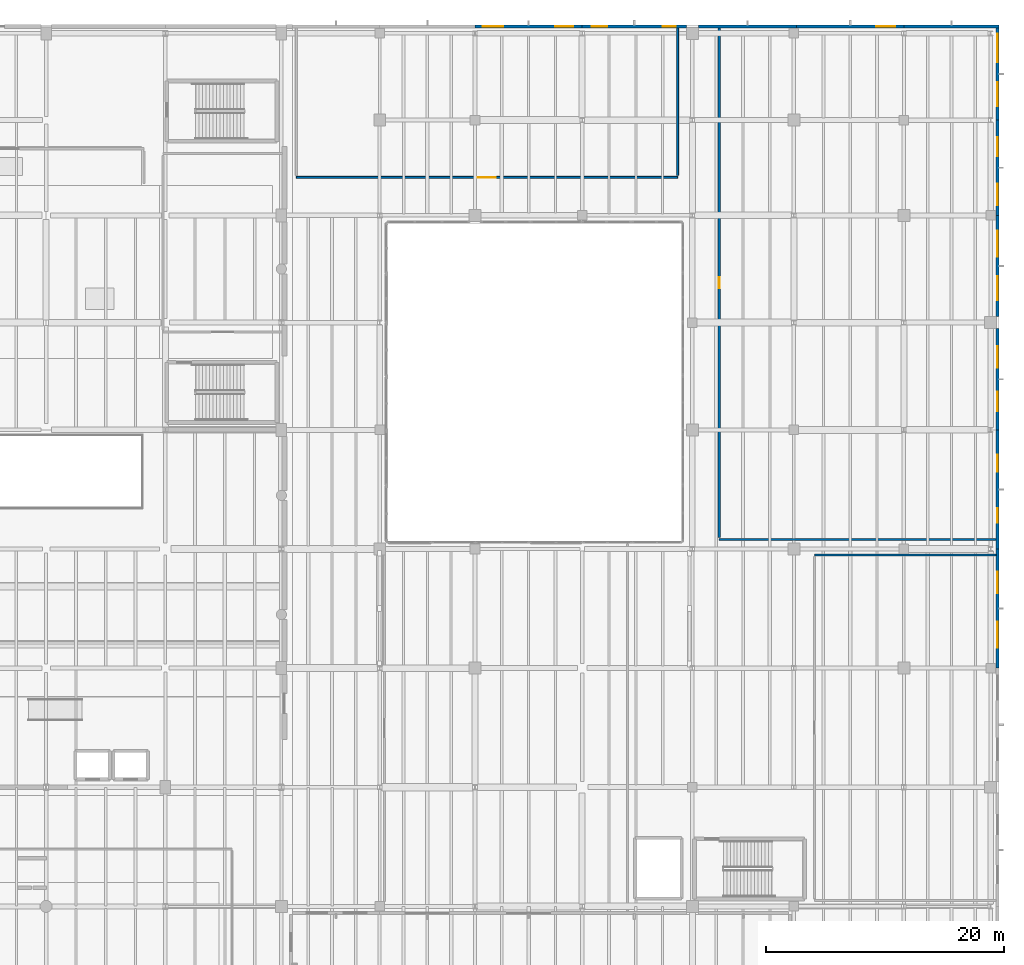
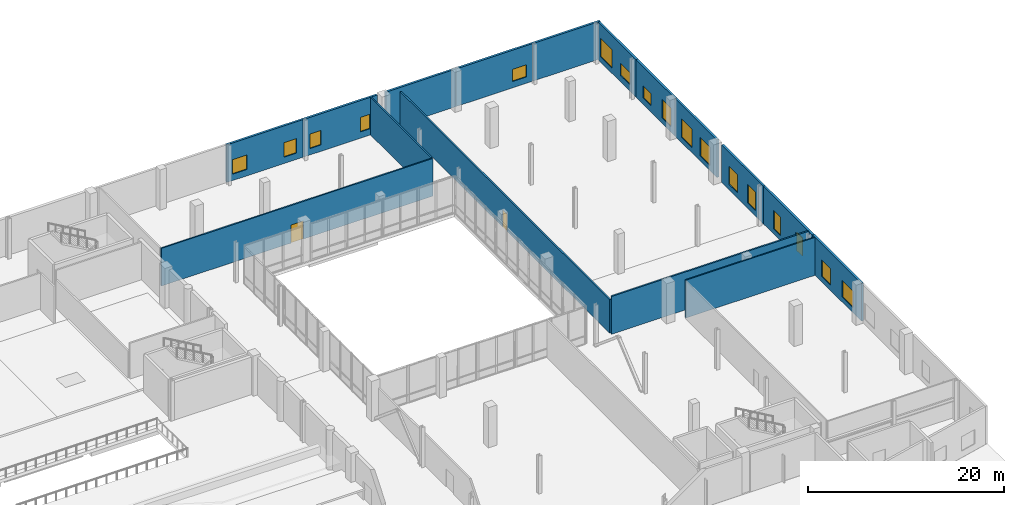
# One storey, part 75 of 88: 17 windows, 16 walls, 2 doors, 19 openings.
"""IFC4 building model written with IfcOpenShell, lengths in metres."""

from ifc_helpers import new_model, si_unit, direction, frame, frame_2d, origin, place, context, subcontext, project, spatial, rectangle, extrude, material, layer, layer_set, type_object, element, fill, save


model = new_model("IFC4")

# Units and contexts
model_context = context("Model", 3, precision=1e-05, world=origin(), true_north=direction((0.0, 1.0)))
body_context = subcontext(model_context, "Body", "Model", "MODEL_VIEW")
ifc_project = project(units=[si_unit("LENGTHUNIT", "METRE"), si_unit("AREAUNIT", "SQUARE_METRE"), si_unit("VOLUMEUNIT", "CUBIC_METRE"), si_unit("PLANEANGLEUNIT", "RADIAN"), si_unit("MASSUNIT", "GRAM", prefix="KILO")], contexts=[model_context])

# Site, building, storey
site_placement = place(None, origin())
site = spatial("IfcSite", under=ifc_project, at=site_placement, CompositionType="ELEMENT")
building_placement = place(site_placement, origin())
building = spatial("IfcBuilding", under=site, at=building_placement, Name="Trimount Lyric Opera House", CompositionType="ELEMENT")
storey_placement = place(building_placement, origin())
storey = spatial("IfcBuildingStorey", under=building, at=storey_placement, Name="L00", CompositionType="ELEMENT", Elevation=0.0)

# Wall
ifc_material_1 = material(Name="Fire-Rated Gypsum Board Partition")
ifc_layer_1 = layer(ifc_material_1, 0.14990234375)
ifc_layer_set_1 = layer_set([ifc_layer_1], Name="WL-PT150")
wall_type_1 = type_object("IfcWallType", Name="WL-PT150", PredefinedType="PARTITIONING", material=ifc_layer_set_1)
wall_1_placement = place(storey_placement, frame((173.75, 73.5, 0.0), z_axis=(0.0, 0.0, 1.0), x_axis=(-1.0, 0.0, 0.0)))
element("IfcWall", 1, at=wall_1_placement, inside=storey, type_object=wall_type_1, Name="L00 Stage Door Security & Wardrobe N partition", PredefinedType="PARTITIONING", context=body_context, shape_type="SweptSolid", body=[
    extrude(rectangle(XDim=15.25, YDim=0.14990234375, at=frame_2d((7.625, 0.0))), origin(), (0.0, 0.0, 1.0), 4.719970703125),
])

# Wall, opening, door
ifc_material_2 = material(Name="Acoustic Double-Stud Gypsum Board")
ifc_layer_2 = layer(ifc_material_2, 0.1650390625)
ifc_layer_set_2 = layer_set([ifc_layer_2], Name="WL-PT165")
wall_type_2 = type_object("IfcWallType", Name="WL-PT165", PredefinedType="PARTITIONING", material=ifc_layer_set_2)
wall_2_placement = place(storey_placement, frame((115.0, 105.199951171875, 0.0), z_axis=(0.0, 0.0, 1.0), x_axis=(1.0, 0.0, 0.0)))
wall_2 = element("IfcWall", 2, at=wall_2_placement, inside=storey, type_object=wall_type_2, Name="L00 Scenic Welding & Paint Frame Hall S partition", PredefinedType="PARTITIONING", context=body_context, shape_type="SweptSolid", body=[
    extrude(rectangle(XDim=32.0, YDim=0.1650390625, at=frame_2d((16.0, 0.0))), origin(), (0.0, 0.0, 1.0), 4.68994140625),
])
opening_1_placement = place(wall_2_placement, frame((15.25, 0.0, 0.0)))
opening_1 = element("IfcOpeningElement", 3, at=opening_1_placement, cuts=wall_2, Name="Opening DT-PL1", PredefinedType="OPENING", context=body_context, shape_type="SweptSolid", body=[
    extrude(rectangle(XDim=1.5, YDim=2.25, at=frame_2d((0.75, 1.125))), frame((0.0, 0.092529296875, 0.0), z_axis=(0.0, -1.0, 0.0), x_axis=(1.0, 0.0, 0.0)), (0.0, 0.0, 1.0), 0.18505859375),
])
ifc_material_3 = material(Name="Fire-Rated Painted Steel", Category="steel")
door_type_1 = type_object("IfcDoorType", Name="DT-PL1", OperationType="DOUBLE_DOOR_SINGLE_SWING", PredefinedType="DOOR", material=ifc_material_3)
door_1_placement = place(opening_1_placement, origin())
door_1 = element("IfcDoor", 4, at=door_1_placement, inside=storey, type_object=door_type_1, Name="D-187", OperationType="DOUBLE_DOOR_SINGLE_SWING", OverallHeight=2.25, OverallWidth=1.5, PredefinedType="DOOR", context=body_context, shape_type="SweptSolid", body=[
    extrude(rectangle(XDim=1.5, YDim=2.25, at=frame_2d((0.75, 1.125))), frame((0.0, 0.02490234375, 0.0), z_axis=(0.0, -1.0, 0.0), x_axis=(1.0, 0.0, 0.0)), (0.0, 0.0, 1.0), 0.050048828125),
])
fill(opening_1, door_1)

# Walls
wall_3_placement = place(storey_placement, frame((147.0, 105.364990234375, 0.0), z_axis=(0.0, 0.0, 1.0), x_axis=(0.0, 1.0, 0.0)))
element("IfcWall", 5, at=wall_3_placement, inside=storey, type_object=wall_type_2, Name="L00 Scenic Welding & Paint Frame Hall E partition", PredefinedType="PARTITIONING", context=body_context, shape_type="SweptSolid", body=[
    extrude(rectangle(XDim=12.35498046875, YDim=0.1650390625, at=frame_2d((6.177490234375, 0.0))), origin(), (0.0, 0.0, 1.0), 4.68994140625),
])
ifc_material_4 = material(Name="Acoustic Double-Stud Gypsum Board")
ifc_layer_3 = layer(ifc_material_4, 0.179931640625)
ifc_layer_set_3 = layer_set([ifc_layer_3], Name="WL-PT180")
wall_type_3 = type_object("IfcWallType", Name="WL-PT180", PredefinedType="PARTITIONING", material=ifc_layer_set_3)
wall_4_placement = place(storey_placement, frame((150.5, 74.800048828125, 0.0), z_axis=(0.0, 0.0, 1.0), x_axis=(1.0, 0.0, 0.0)))
element("IfcWall", 6, at=wall_4_placement, inside=storey, type_object=wall_type_3, Name="L00 Metalwork & Rigging Shop S partition", PredefinedType="PARTITIONING", context=body_context, shape_type="SweptSolid", body=[
    extrude(rectangle(XDim=23.25, YDim=0.179931640625, at=frame_2d((11.625, 0.0))), origin(), (0.0, 0.0, 1.0), 4.719970703125),
])

# Wall, opening, door
wall_5_placement = place(storey_placement, frame((150.5, 117.719970703125, 0.0), z_axis=(0.0, 0.0, 1.0), x_axis=(0.0, -1.0, 0.0)))
wall_5 = element("IfcWall", 7, at=wall_5_placement, inside=storey, type_object=wall_type_3, Name="L00 Metalwork & Rigging Shop W partition", PredefinedType="PARTITIONING", context=body_context, shape_type="SweptSolid", body=[
    extrude(rectangle(XDim=42.739990234375, YDim=0.179931640625, at=frame_2d((21.3701171875, 0.0))), origin(), (0.0, 0.0, 1.0), 4.177001953125),
])
opening_2_placement = place(wall_5_placement, frame((20.909912109375, 0.0, 0.0)))
opening_2 = element("IfcOpeningElement", 8, at=opening_2_placement, cuts=wall_5, Name="Opening DT-PL2", PredefinedType="OPENING", context=body_context, shape_type="SweptSolid", body=[
    extrude(rectangle(XDim=0.919921875, YDim=2.14990234375, at=frame_2d((0.4599609375, 1.074951171875))), frame((0.0, 0.10009765625, 0.0), z_axis=(0.0, -1.0, 0.0), x_axis=(1.0, 0.0, 0.0)), (0.0, 0.0, 1.0), 0.199951171875),
])
ifc_material_5 = material(Name="Fire-Rated Painted Steel", Category="steel")
door_type_2 = type_object("IfcDoorType", Name="DT-PL2", OperationType="NOTDEFINED", PredefinedType="DOOR", material=ifc_material_5)
door_2_placement = place(opening_2_placement, origin())
door_2 = element("IfcDoor", 9, at=door_2_placement, inside=storey, type_object=door_type_2, Name="D-189", OperationType="SINGLE_SWING_LEFT", OverallHeight=2.14990234375, OverallWidth=0.919921875, PredefinedType="DOOR", context=body_context, shape_type="SweptSolid", body=[
    extrude(rectangle(XDim=0.919921875, YDim=2.14990234375, at=frame_2d((0.4599609375, 1.074951171875))), frame((0.0, 0.02490234375, 0.0), z_axis=(0.0, -1.0, 0.0), x_axis=(1.0, 0.0, 0.0)), (0.0, 0.0, 1.0), 0.050048828125),
])
fill(opening_2, door_2)

# Wall, openings, windows
ifc_material_6 = material(Name="Concrete C35/45", Category="concrete")
ifc_layer_4 = layer(ifc_material_6, 0.25)
ifc_layer_set_4 = layer_set([ifc_layer_4], Name="WL-SW250")
wall_type_4 = type_object("IfcWallType", Name="WL-SW250", PredefinedType="SOLIDWALL", material=ifc_layer_set_4)
wall_6_placement = place(storey_placement, frame((130.0, 117.860107421875, 0.0), z_axis=(0.0, 0.0, 1.0), x_axis=(1.0, 0.0, 0.0)))
wall_6 = element("IfcWall", 10, at=wall_6_placement, inside=storey, type_object=wall_type_4, Name="L00 exterior facade wall 120", PredefinedType="SOLIDWALL", context=body_context, shape_type="SweptSolid", body=[
    extrude(rectangle(XDim=9.0, YDim=0.25, at=frame_2d((4.5, 0.0))), origin(), (0.0, 0.0, 1.0), 4.68994140625),
])
opening_3_placement = place(wall_6_placement, frame((0.669921875, 0.0, 0.800048828125)))
opening_3 = element("IfcOpeningElement", 11, at=opening_3_placement, cuts=wall_6, Name="Opening WT-19", PredefinedType="OPENING", context=body_context, shape_type="SweptSolid", body=[
    extrude(rectangle(XDim=1.699951171875, YDim=1.800048828125, at=frame_2d((0.85009765625, 0.89990234375))), frame((0.0, 0.135009765625, 0.0), z_axis=(0.0, -1.0, 0.0), x_axis=(1.0, 0.0, 0.0)), (0.0, 0.0, 1.0), 0.27001953125),
])
opening_4_placement = place(wall_6_placement, frame((6.72998046875, 0.0, 0.800048828125)))
opening_4 = element("IfcOpeningElement", 12, at=opening_4_placement, cuts=wall_6, Name="Opening WT-20", PredefinedType="OPENING", context=body_context, shape_type="SweptSolid", body=[
    extrude(rectangle(XDim=1.5, YDim=1.800048828125, at=frame_2d((0.75, 0.89990234375))), frame((0.0, 0.135009765625, 0.0), z_axis=(0.0, -1.0, 0.0), x_axis=(1.0, 0.0, 0.0)), (0.0, 0.0, 1.0), 0.27001953125),
])
ifc_material_7 = material(Name="Dressing Suite Acoustic Window")
window_type_1 = type_object("IfcWindowType", Name="WT-19", PartitioningType="SINGLE_PANEL", PredefinedType="WINDOW", material=ifc_material_7)
window_1_placement = place(opening_3_placement, origin())
window_1 = element("IfcWindow", 13, at=window_1_placement, inside=storey, type_object=window_type_1, Name="Window WT-19-0019", OverallHeight=1.800048828125, OverallWidth=1.699951171875, PartitioningType="SINGLE_PANEL", PredefinedType="WINDOW", context=body_context, shape_type="SweptSolid", body=[
    extrude(rectangle(XDim=1.699951171875, YDim=1.800048828125, at=frame_2d((0.85009765625, 0.89990234375))), frame((0.0, 0.030029296875, 0.0), z_axis=(0.0, -1.0, 0.0), x_axis=(1.0, 0.0, 0.0)), (0.0, 0.0, 1.0), 0.06005859375),
])
fill(opening_3, window_1)
ifc_material_8 = material(Name="Dressing Suite Acoustic Window")
window_type_2 = type_object("IfcWindowType", Name="WT-20", PartitioningType="SINGLE_PANEL", PredefinedType="WINDOW", material=ifc_material_8)
window_2_placement = place(opening_4_placement, origin())
window_2 = element("IfcWindow", 14, at=window_2_placement, inside=storey, type_object=window_type_2, Name="Window WT-20-0020", OverallHeight=1.800048828125, OverallWidth=1.5, PartitioningType="SINGLE_PANEL", PredefinedType="WINDOW", context=body_context, shape_type="SweptSolid", body=[
    extrude(rectangle(XDim=1.5, YDim=1.800048828125, at=frame_2d((0.75, 0.89990234375))), frame((0.0, 0.030029296875, 0.0), z_axis=(0.0, -1.0, 0.0), x_axis=(1.0, 0.0, 0.0)), (0.0, 0.0, 1.0), 0.06005859375),
])
fill(opening_4, window_2)

wall_7_placement = place(storey_placement, frame((139.0, 117.860107421875, 0.0), z_axis=(0.0, 0.0, 1.0), x_axis=(1.0, 0.0, 0.0)))
wall_7 = element("IfcWall", 15, at=wall_7_placement, inside=storey, type_object=wall_type_4, Name="L00 exterior facade wall 121", PredefinedType="SOLIDWALL", context=body_context, shape_type="SweptSolid", body=[
    extrude(rectangle(XDim=8.739990234375, YDim=0.25, at=frame_2d((4.3701171875, 0.0))), origin(), (0.0, 0.0, 1.0), 4.68994140625),
])
opening_5_placement = place(wall_7_placement, frame((0.797119140625, 0.0, 0.800048828125)))
opening_5 = element("IfcOpeningElement", 16, at=opening_5_placement, cuts=wall_7, Name="Opening WT-21", PredefinedType="OPENING", context=body_context, shape_type="SweptSolid", body=[
    extrude(rectangle(XDim=1.300048828125, YDim=1.800048828125, at=frame_2d((0.64990234375, 0.89990234375))), frame((0.0, 0.135009765625, 0.0), z_axis=(0.0, -1.0, 0.0), x_axis=(1.0, 0.0, 0.0)), (0.0, 0.0, 1.0), 0.27001953125),
])
opening_6_placement = place(wall_7_placement, frame((6.742919921875, 0.0, 0.800048828125)))
opening_6 = element("IfcOpeningElement", 17, at=opening_6_placement, cuts=wall_7, Name="Opening WT-22", PredefinedType="OPENING", context=body_context, shape_type="SweptSolid", body=[
    extrude(rectangle(XDim=1.10009765625, YDim=1.800048828125, at=frame_2d((0.550048828125, 0.89990234375))), frame((0.0, 0.135009765625, 0.0), z_axis=(0.0, -1.0, 0.0), x_axis=(1.0, 0.0, 0.0)), (0.0, 0.0, 1.0), 0.27001953125),
])
ifc_material_9 = material(Name="Dressing Suite Acoustic Window")
window_type_3 = type_object("IfcWindowType", Name="WT-21", PartitioningType="SINGLE_PANEL", PredefinedType="WINDOW", material=ifc_material_9)
window_3_placement = place(opening_5_placement, origin())
window_3 = element("IfcWindow", 18, at=window_3_placement, inside=storey, type_object=window_type_3, Name="Window WT-21-0021", OverallHeight=1.800048828125, OverallWidth=1.300048828125, PartitioningType="SINGLE_PANEL", PredefinedType="WINDOW", context=body_context, shape_type="SweptSolid", body=[
    extrude(rectangle(XDim=1.300048828125, YDim=1.800048828125, at=frame_2d((0.64990234375, 0.89990234375))), frame((0.0, 0.030029296875, 0.0), z_axis=(0.0, -1.0, 0.0), x_axis=(1.0, 0.0, 0.0)), (0.0, 0.0, 1.0), 0.06005859375),
])
fill(opening_5, window_3)
ifc_material_10 = material(Name="Practice Room Acoustic Window")
window_type_4 = type_object("IfcWindowType", Name="WT-22", PartitioningType="SINGLE_PANEL", PredefinedType="WINDOW", material=ifc_material_10)
window_4_placement = place(opening_6_placement, origin())
window_4 = element("IfcWindow", 19, at=window_4_placement, inside=storey, type_object=window_type_4, Name="Window WT-22-0022", OverallHeight=1.800048828125, OverallWidth=1.10009765625, PartitioningType="SINGLE_PANEL", PredefinedType="WINDOW", context=body_context, shape_type="SweptSolid", body=[
    extrude(rectangle(XDim=1.10009765625, YDim=1.800048828125, at=frame_2d((0.550048828125, 0.89990234375))), frame((0.0, 0.030029296875, 0.0), z_axis=(0.0, -1.0, 0.0), x_axis=(1.0, 0.0, 0.0)), (0.0, 0.0, 1.0), 0.06005859375),
])
fill(opening_6, window_4)

# Wall
wall_8_placement = place(storey_placement, frame((148.739990234375, 117.860107421875, 0.0), z_axis=(0.0, 0.0, 1.0), x_axis=(1.0, 0.0, 0.0)))
element("IfcWall", 20, at=wall_8_placement, inside=storey, type_object=wall_type_4, Name="L00 exterior facade wall 122", PredefinedType="SOLIDWALL", context=body_context, shape_type="SweptSolid", body=[
    extrude(rectangle(XDim=8.260009765625, YDim=0.25, at=frame_2d((4.1298828125, 0.0))), origin(), (0.0, 0.0, 1.0), 4.68994140625),
])

# Wall, opening, window
wall_9_placement = place(storey_placement, frame((157.0, 117.860107421875, 0.0), z_axis=(0.0, 0.0, 1.0), x_axis=(1.0, 0.0, 0.0)))
wall_9 = element("IfcWall", 21, at=wall_9_placement, inside=storey, type_object=wall_type_4, Name="L00 exterior facade wall 123", PredefinedType="SOLIDWALL", context=body_context, shape_type="SweptSolid", body=[
    extrude(rectangle(XDim=9.0, YDim=0.25, at=frame_2d((4.5, 0.0))), origin(), (0.0, 0.0, 1.0), 4.68994140625),
])
opening_7_placement = place(wall_9_placement, frame((6.679931640625, 0.0, 0.800048828125)))
opening_7 = element("IfcOpeningElement", 22, at=opening_7_placement, cuts=wall_9, Name="Opening WT-26", PredefinedType="OPENING", context=body_context, shape_type="SweptSolid", body=[
    extrude(rectangle(XDim=1.60009765625, YDim=1.5, at=frame_2d((0.800048828125, 0.75))), frame((0.0, 0.135009765625, 0.0), z_axis=(0.0, -1.0, 0.0), x_axis=(1.0, 0.0, 0.0)), (0.0, 0.0, 1.0), 0.27001953125),
])
ifc_material_11 = material(Name="Clerestory Ribbon Glazing", Category="glass")
window_type_5 = type_object("IfcWindowType", Name="WT-26", PartitioningType="SINGLE_PANEL", PredefinedType="WINDOW", material=ifc_material_11)
window_5_placement = place(opening_7_placement, origin())
window_5 = element("IfcWindow", 23, at=window_5_placement, inside=storey, type_object=window_type_5, Name="Window WT-26-0023", OverallHeight=1.5, OverallWidth=1.60009765625, PartitioningType="SINGLE_PANEL", PredefinedType="WINDOW", context=body_context, shape_type="SweptSolid", body=[
    extrude(rectangle(XDim=1.60009765625, YDim=1.5, at=frame_2d((0.800048828125, 0.75))), frame((0.0, 0.030029296875, 0.0), z_axis=(0.0, -1.0, 0.0), x_axis=(1.0, 0.0, 0.0)), (0.0, 0.0, 1.0), 0.06005859375),
])
fill(opening_7, window_5)

# Wall
wall_10_placement = place(storey_placement, frame((166.0, 117.860107421875, 0.0), z_axis=(0.0, 0.0, 1.0), x_axis=(1.0, 0.0, 0.0)))
element("IfcWall", 24, at=wall_10_placement, inside=storey, type_object=wall_type_4, Name="L00 exterior facade wall 124", PredefinedType="SOLIDWALL", context=body_context, shape_type="SweptSolid", body=[
    extrude(rectangle(XDim=8.0, YDim=0.25, at=frame_2d((4.0, 0.0))), origin(), (0.0, 0.0, 1.0), 4.68994140625),
])

# Wall, openings, windows
wall_11_placement = place(storey_placement, frame((173.860107421875, 117.72998046875, 0.0), z_axis=(0.0, 0.0, 1.0), x_axis=(0.0, -1.0, 0.0)))
wall_11 = element("IfcWall", 25, at=wall_11_placement, inside=storey, type_object=wall_type_4, Name="L00 exterior facade wall 125", PredefinedType="SOLIDWALL", context=body_context, shape_type="SweptSolid", body=[
    extrude(rectangle(XDim=7.72998046875, YDim=0.25, at=frame_2d((3.864990234375, 0.0))), origin(), (0.0, 0.0, 1.0), 4.68994140625),
])
opening_8_placement = place(wall_11_placement, frame((0.46435546875, 0.0, 0.64990234375)))
opening_8 = element("IfcOpeningElement", 26, at=opening_8_placement, cuts=wall_11, Name="Opening WT-01", PredefinedType="OPENING", context=body_context, shape_type="SweptSolid", body=[
    extrude(rectangle(XDim=2.39990234375, YDim=2.300048828125, at=frame_2d((1.199951171875, 1.14990234375))), frame((0.0, 0.135009765625, 0.0), z_axis=(0.0, -1.0, 0.0), x_axis=(1.0, 0.0, 0.0)), (0.0, 0.0, 1.0), 0.27001953125),
])
opening_9_placement = place(wall_11_placement, frame((4.565673828125, 0.0, 0.800048828125)))
opening_9 = element("IfcOpeningElement", 27, at=opening_9_placement, cuts=wall_11, Name="Opening WT-25", PredefinedType="OPENING", context=body_context, shape_type="SweptSolid", body=[
    extrude(rectangle(XDim=2.0, YDim=1.5, at=frame_2d((1.0, 0.75))), frame((0.0, 0.135009765625, 0.0), z_axis=(0.0, -1.0, 0.0), x_axis=(1.0, 0.0, 0.0)), (0.0, 0.0, 1.0), 0.27001953125),
])
ifc_material_12 = material(Name="Triple Acoustic Glazing in Aluminium Frame", Category="aluminium")
window_type_6 = type_object("IfcWindowType", Name="WT-01", PartitioningType="DOUBLE_PANEL_VERTICAL", PredefinedType="WINDOW", material=ifc_material_12)
window_6_placement = place(opening_8_placement, origin())
window_6 = element("IfcWindow", 28, at=window_6_placement, inside=storey, type_object=window_type_6, Name="Window WT-01-0024", OverallHeight=2.300048828125, OverallWidth=2.39990234375, PartitioningType="SINGLE_PANEL", PredefinedType="WINDOW", context=body_context, shape_type="SweptSolid", body=[
    extrude(rectangle(XDim=2.39990234375, YDim=2.300048828125, at=frame_2d((1.199951171875, 1.14990234375))), frame((0.0, 0.030029296875, 0.0), z_axis=(0.0, -1.0, 0.0), x_axis=(1.0, 0.0, 0.0)), (0.0, 0.0, 1.0), 0.06005859375),
])
fill(opening_8, window_6)
ifc_material_13 = material(Name="Clerestory Ribbon Glazing", Category="glass")
window_type_7 = type_object("IfcWindowType", Name="WT-25", PartitioningType="DOUBLE_PANEL_HORIZONTAL", PredefinedType="WINDOW", material=ifc_material_13)
window_7_placement = place(opening_9_placement, origin())
window_7 = element("IfcWindow", 29, at=window_7_placement, inside=storey, type_object=window_type_7, Name="Window WT-25-0025", OverallHeight=1.5, OverallWidth=2.0, PartitioningType="SINGLE_PANEL", PredefinedType="WINDOW", context=body_context, shape_type="SweptSolid", body=[
    extrude(rectangle(XDim=2.0, YDim=1.5, at=frame_2d((1.0, 0.75))), frame((0.0, 0.030029296875, 0.0), z_axis=(0.0, -1.0, 0.0), x_axis=(1.0, 0.0, 0.0)), (0.0, 0.0, 1.0), 0.06005859375),
])
fill(opening_9, window_7)

wall_12_placement = place(storey_placement, frame((173.860107421875, 110.0, 0.0), z_axis=(0.0, 0.0, 1.0), x_axis=(0.0, -1.0, 0.0)))
wall_12 = element("IfcWall", 30, at=wall_12_placement, inside=storey, type_object=wall_type_4, Name="L00 exterior facade wall 126", PredefinedType="SOLIDWALL", context=body_context, shape_type="SweptSolid", body=[
    extrude(rectangle(XDim=8.0, YDim=0.25, at=frame_2d((4.0, 0.0))), origin(), (0.0, 0.0, 1.0), 4.68994140625),
])
opening_10_placement = place(wall_12_placement, frame((1.43994140625, 0.0, 0.800048828125)))
opening_10 = element("IfcOpeningElement", 31, at=opening_10_placement, cuts=wall_12, Name="Opening WT-26", PredefinedType="OPENING", context=body_context, shape_type="SweptSolid", body=[
    extrude(rectangle(XDim=1.60009765625, YDim=1.5, at=frame_2d((0.800048828125, 0.75))), frame((0.0, 0.135009765625, 0.0), z_axis=(0.0, -1.0, 0.0), x_axis=(1.0, 0.0, 0.0)), (0.0, 0.0, 1.0), 0.27001953125),
])
opening_11_placement = place(wall_12_placement, frame((5.360107421875, 0.0, 0.64990234375)))
opening_11 = element("IfcOpeningElement", 32, at=opening_11_placement, cuts=wall_12, Name="Opening WT-04", PredefinedType="OPENING", context=body_context, shape_type="SweptSolid", body=[
    extrude(rectangle(XDim=1.800048828125, YDim=2.300048828125, at=frame_2d((0.89990234375, 1.14990234375))), frame((0.0, 0.135009765625, 0.0), z_axis=(0.0, -1.0, 0.0), x_axis=(1.0, 0.0, 0.0)), (0.0, 0.0, 1.0), 0.27001953125),
])
ifc_material_14 = material(Name="Triple Acoustic Glazing in Aluminium Frame", Category="aluminium")
window_type_8 = type_object("IfcWindowType", Name="WT-04", PartitioningType="DOUBLE_PANEL_VERTICAL", PredefinedType="WINDOW", material=ifc_material_14)
window_8_placement = place(opening_11_placement, origin())
window_8 = element("IfcWindow", 33, at=window_8_placement, inside=storey, type_object=window_type_8, Name="Window WT-04-0027", OverallHeight=2.300048828125, OverallWidth=1.800048828125, PartitioningType="SINGLE_PANEL", PredefinedType="WINDOW", context=body_context, shape_type="SweptSolid", body=[
    extrude(rectangle(XDim=1.800048828125, YDim=2.300048828125, at=frame_2d((0.89990234375, 1.14990234375))), frame((0.0, 0.030029296875, 0.0), z_axis=(0.0, -1.0, 0.0), x_axis=(1.0, 0.0, 0.0)), (0.0, 0.0, 1.0), 0.06005859375),
])
fill(opening_11, window_8)
window_9_placement = place(opening_10_placement, origin())
window_9 = element("IfcWindow", 34, at=window_9_placement, inside=storey, type_object=window_type_5, Name="Window WT-26-0026", OverallHeight=1.5, OverallWidth=1.60009765625, PartitioningType="SINGLE_PANEL", PredefinedType="WINDOW", context=body_context, shape_type="SweptSolid", body=[
    extrude(rectangle(XDim=1.60009765625, YDim=1.5, at=frame_2d((0.800048828125, 0.75))), frame((0.0, 0.030029296875, 0.0), z_axis=(0.0, -1.0, 0.0), x_axis=(1.0, 0.0, 0.0)), (0.0, 0.0, 1.0), 0.06005859375),
])
fill(opening_10, window_9)

wall_13_placement = place(storey_placement, frame((173.860107421875, 102.0, 0.0), z_axis=(0.0, 0.0, 1.0), x_axis=(0.0, -1.0, 0.0)))
wall_13 = element("IfcWall", 35, at=wall_13_placement, inside=storey, type_object=wall_type_4, Name="L00 exterior facade wall 127", PredefinedType="SOLIDWALL", context=body_context, shape_type="SweptSolid", body=[
    extrude(rectangle(XDim=8.5, YDim=0.25, at=frame_2d((4.25, 0.0))), origin(), (0.0, 0.0, 1.0), 4.68994140625),
])
opening_12_placement = place(wall_13_placement, frame((1.280029296875, 0.0, 0.64990234375)))
opening_12 = element("IfcOpeningElement", 36, at=opening_12_placement, cuts=wall_13, Name="Opening WT-02", PredefinedType="OPENING", context=body_context, shape_type="SweptSolid", body=[
    extrude(rectangle(XDim=2.199951171875, YDim=2.300048828125, at=frame_2d((1.10009765625, 1.14990234375))), frame((0.0, 0.135009765625, 0.0), z_axis=(0.0, -1.0, 0.0), x_axis=(1.0, 0.0, 0.0)), (0.0, 0.0, 1.0), 0.27001953125),
])
opening_13_placement = place(wall_13_placement, frame((5.1201171875, 0.0, 0.64990234375)))
opening_13 = element("IfcOpeningElement", 37, at=opening_13_placement, cuts=wall_13, Name="Opening WT-03", PredefinedType="OPENING", context=body_context, shape_type="SweptSolid", body=[
    extrude(rectangle(XDim=2.0, YDim=2.300048828125, at=frame_2d((1.0, 1.14990234375))), frame((0.0, 0.135009765625, 0.0), z_axis=(0.0, -1.0, 0.0), x_axis=(1.0, 0.0, 0.0)), (0.0, 0.0, 1.0), 0.27001953125),
])
ifc_material_15 = material(Name="Triple Acoustic Glazing in Aluminium Frame", Category="aluminium")
window_type_9 = type_object("IfcWindowType", Name="WT-02", PartitioningType="DOUBLE_PANEL_VERTICAL", PredefinedType="WINDOW", material=ifc_material_15)
window_10_placement = place(opening_12_placement, origin())
window_10 = element("IfcWindow", 38, at=window_10_placement, inside=storey, type_object=window_type_9, Name="Window WT-02-0028", OverallHeight=2.300048828125, OverallWidth=2.199951171875, PartitioningType="SINGLE_PANEL", PredefinedType="WINDOW", context=body_context, shape_type="SweptSolid", body=[
    extrude(rectangle(XDim=2.199951171875, YDim=2.300048828125, at=frame_2d((1.10009765625, 1.14990234375))), frame((0.0, 0.030029296875, 0.0), z_axis=(0.0, -1.0, 0.0), x_axis=(1.0, 0.0, 0.0)), (0.0, 0.0, 1.0), 0.06005859375),
])
fill(opening_12, window_10)
ifc_material_16 = material(Name="Triple Acoustic Glazing in Aluminium Frame", Category="aluminium")
window_type_10 = type_object("IfcWindowType", Name="WT-03", PartitioningType="DOUBLE_PANEL_VERTICAL", PredefinedType="WINDOW", material=ifc_material_16)
window_11_placement = place(opening_13_placement, origin())
window_11 = element("IfcWindow", 39, at=window_11_placement, inside=storey, type_object=window_type_10, Name="Window WT-03-0029", OverallHeight=2.300048828125, OverallWidth=2.0, PartitioningType="SINGLE_PANEL", PredefinedType="WINDOW", context=body_context, shape_type="SweptSolid", body=[
    extrude(rectangle(XDim=2.0, YDim=2.300048828125, at=frame_2d((1.0, 1.14990234375))), frame((0.0, 0.030029296875, 0.0), z_axis=(0.0, -1.0, 0.0), x_axis=(1.0, 0.0, 0.0)), (0.0, 0.0, 1.0), 0.06005859375),
])
fill(opening_13, window_11)

wall_14_placement = place(storey_placement, frame((173.860107421875, 92.5, 0.0), z_axis=(0.0, 0.0, 1.0), x_axis=(0.0, -1.0, 0.0)))
wall_14 = element("IfcWall", 40, at=wall_14_placement, inside=storey, type_object=wall_type_4, Name="L00 exterior facade wall 128", PredefinedType="SOLIDWALL", context=body_context, shape_type="SweptSolid", body=[
    extrude(rectangle(XDim=8.5, YDim=0.25, at=frame_2d((4.25, 0.0))), origin(), (0.0, 0.0, 1.0), 4.68994140625),
])
opening_14_placement = place(wall_14_placement, frame((1.47998046875, 0.0, 0.64990234375)))
opening_14 = element("IfcOpeningElement", 41, at=opening_14_placement, cuts=wall_14, Name="Opening WT-04", PredefinedType="OPENING", context=body_context, shape_type="SweptSolid", body=[
    extrude(rectangle(XDim=1.800048828125, YDim=2.300048828125, at=frame_2d((0.89990234375, 1.14990234375))), frame((0.0, 0.135009765625, 0.0), z_axis=(0.0, -1.0, 0.0), x_axis=(1.0, 0.0, 0.0)), (0.0, 0.0, 1.0), 0.27001953125),
])
opening_15_placement = place(wall_14_placement, frame((5.320068359375, 0.0, 0.64990234375)))
opening_15 = element("IfcOpeningElement", 42, at=opening_15_placement, cuts=wall_14, Name="Opening WT-05", PredefinedType="OPENING", context=body_context, shape_type="SweptSolid", body=[
    extrude(rectangle(XDim=1.60009765625, YDim=2.300048828125, at=frame_2d((0.800048828125, 1.14990234375))), frame((0.0, 0.135009765625, 0.0), z_axis=(0.0, -1.0, 0.0), x_axis=(1.0, 0.0, 0.0)), (0.0, 0.0, 1.0), 0.27001953125),
])
window_12_placement = place(opening_14_placement, origin())
window_12 = element("IfcWindow", 43, at=window_12_placement, inside=storey, type_object=window_type_8, Name="Window WT-04-0030", OverallHeight=2.300048828125, OverallWidth=1.800048828125, PartitioningType="SINGLE_PANEL", PredefinedType="WINDOW", context=body_context, shape_type="SweptSolid", body=[
    extrude(rectangle(XDim=1.800048828125, YDim=2.300048828125, at=frame_2d((0.89990234375, 1.14990234375))), frame((0.0, 0.030029296875, 0.0), z_axis=(0.0, -1.0, 0.0), x_axis=(1.0, 0.0, 0.0)), (0.0, 0.0, 1.0), 0.06005859375),
])
fill(opening_14, window_12)
ifc_material_17 = material(Name="Triple Acoustic Glazing in Aluminium Frame", Category="aluminium")
window_type_11 = type_object("IfcWindowType", Name="WT-05", PartitioningType="SINGLE_PANEL", PredefinedType="WINDOW", material=ifc_material_17)
window_13_placement = place(opening_15_placement, origin())
window_13 = element("IfcWindow", 44, at=window_13_placement, inside=storey, type_object=window_type_11, Name="Window WT-05-0031", OverallHeight=2.300048828125, OverallWidth=1.60009765625, PartitioningType="SINGLE_PANEL", PredefinedType="WINDOW", context=body_context, shape_type="SweptSolid", body=[
    extrude(rectangle(XDim=1.60009765625, YDim=2.300048828125, at=frame_2d((0.800048828125, 1.14990234375))), frame((0.0, 0.030029296875, 0.0), z_axis=(0.0, -1.0, 0.0), x_axis=(1.0, 0.0, 0.0)), (0.0, 0.0, 1.0), 0.06005859375),
])
fill(opening_15, window_13)

wall_15_placement = place(storey_placement, frame((173.860107421875, 84.0, 0.0), z_axis=(0.0, 0.0, 1.0), x_axis=(0.0, -1.0, 0.0)))
wall_15 = element("IfcWall", 45, at=wall_15_placement, inside=storey, type_object=wall_type_4, Name="L00 exterior facade wall 129", PredefinedType="SOLIDWALL", context=body_context, shape_type="SweptSolid", body=[
    extrude(rectangle(XDim=10.0, YDim=0.25, at=frame_2d((5.0, 0.0))), origin(), (0.0, 0.0, 1.0), 4.68994140625),
])
opening_16_placement = place(wall_15_placement, frame((2.10009765625, 0.0, 0.64990234375)))
opening_16 = element("IfcOpeningElement", 46, at=opening_16_placement, cuts=wall_15, Name="Opening WT-06", PredefinedType="OPENING", context=body_context, shape_type="SweptSolid", body=[
    extrude(rectangle(XDim=1.39990234375, YDim=2.300048828125, at=frame_2d((0.699951171875, 1.14990234375))), frame((0.0, 0.135009765625, 0.0), z_axis=(0.0, -1.0, 0.0), x_axis=(1.0, 0.0, 0.0)), (0.0, 0.0, 1.0), 0.27001953125),
])
opening_17_placement = place(wall_15_placement, frame((6.60009765625, 0.0, 0.64990234375)))
opening_17 = element("IfcOpeningElement", 47, at=opening_17_placement, cuts=wall_15, Name="Opening WT-07", PredefinedType="OPENING", context=body_context, shape_type="SweptSolid", body=[
    extrude(rectangle(XDim=1.199951171875, YDim=2.300048828125, at=frame_2d((0.60009765625, 1.14990234375))), frame((0.0, 0.135009765625, 0.0), z_axis=(0.0, -1.0, 0.0), x_axis=(1.0, 0.0, 0.0)), (0.0, 0.0, 1.0), 0.27001953125),
])
ifc_material_18 = material(Name="Triple Acoustic Glazing in Aluminium Frame", Category="aluminium")
window_type_12 = type_object("IfcWindowType", Name="WT-06", PartitioningType="SINGLE_PANEL", PredefinedType="WINDOW", material=ifc_material_18)
window_14_placement = place(opening_16_placement, origin())
window_14 = element("IfcWindow", 48, at=window_14_placement, inside=storey, type_object=window_type_12, Name="Window WT-06-0032", OverallHeight=2.300048828125, OverallWidth=1.39990234375, PartitioningType="SINGLE_PANEL", PredefinedType="WINDOW", context=body_context, shape_type="SweptSolid", body=[
    extrude(rectangle(XDim=1.39990234375, YDim=2.300048828125, at=frame_2d((0.699951171875, 1.14990234375))), frame((0.0, 0.030029296875, 0.0), z_axis=(0.0, -1.0, 0.0), x_axis=(1.0, 0.0, 0.0)), (0.0, 0.0, 1.0), 0.06005859375),
])
fill(opening_16, window_14)
ifc_material_19 = material(Name="Triple Acoustic Glazing in Aluminium Frame", Category="aluminium")
window_type_13 = type_object("IfcWindowType", Name="WT-07", PartitioningType="SINGLE_PANEL", PredefinedType="WINDOW", material=ifc_material_19)
window_15_placement = place(opening_17_placement, origin())
window_15 = element("IfcWindow", 49, at=window_15_placement, inside=storey, type_object=window_type_13, Name="Window WT-07-0033", OverallHeight=2.300048828125, OverallWidth=1.199951171875, PartitioningType="SINGLE_PANEL", PredefinedType="WINDOW", context=body_context, shape_type="SweptSolid", body=[
    extrude(rectangle(XDim=1.199951171875, YDim=2.300048828125, at=frame_2d((0.60009765625, 1.14990234375))), frame((0.0, 0.030029296875, 0.0), z_axis=(0.0, -1.0, 0.0), x_axis=(1.0, 0.0, 0.0)), (0.0, 0.0, 1.0), 0.06005859375),
])
fill(opening_17, window_15)

wall_16_placement = place(storey_placement, frame((173.860107421875, 74.0, 0.0), z_axis=(0.0, 0.0, 1.0), x_axis=(0.0, -1.0, 0.0)))
wall_16 = element("IfcWall", 50, at=wall_16_placement, inside=storey, type_object=wall_type_4, Name="L00 exterior facade wall 130", PredefinedType="SOLIDWALL", context=body_context, shape_type="SweptSolid", body=[
    extrude(rectangle(XDim=10.0, YDim=0.25, at=frame_2d((5.0, 0.0))), origin(), (0.0, 0.0, 1.0), 4.719970703125),
])
opening_18_placement = place(wall_16_placement, frame((1.89990234375, 0.0, 0.64990234375)))
opening_18 = element("IfcOpeningElement", 51, at=opening_18_placement, cuts=wall_16, Name="Opening WT-11", PredefinedType="OPENING", context=body_context, shape_type="SweptSolid", body=[
    extrude(rectangle(XDim=1.800048828125, YDim=2.050048828125, at=frame_2d((0.89990234375, 1.02490234375))), frame((0.0, 0.135009765625, 0.0), z_axis=(0.0, -1.0, 0.0), x_axis=(1.0, 0.0, 0.0)), (0.0, 0.0, 1.0), 0.27001953125),
])
opening_19_placement = place(wall_16_placement, frame((6.10009765625, 0.0, 0.64990234375)))
opening_19 = element("IfcOpeningElement", 52, at=opening_19_placement, cuts=wall_16, Name="Opening WT-09", PredefinedType="OPENING", context=body_context, shape_type="SweptSolid", body=[
    extrude(rectangle(XDim=2.199951171875, YDim=2.050048828125, at=frame_2d((1.10009765625, 1.02490234375))), frame((0.0, 0.135009765625, 0.0), z_axis=(0.0, -1.0, 0.0), x_axis=(1.0, 0.0, 0.0)), (0.0, 0.0, 1.0), 0.27001953125),
])
ifc_material_20 = material(Name="Low-E Insulated Glazing in Bronze Frame", Category="glass")
window_type_14 = type_object("IfcWindowType", Name="WT-09", PartitioningType="DOUBLE_PANEL_VERTICAL", PredefinedType="WINDOW", material=ifc_material_20)
window_16_placement = place(opening_19_placement, origin())
window_16 = element("IfcWindow", 53, at=window_16_placement, inside=storey, type_object=window_type_14, Name="Window WT-09-0035", OverallHeight=2.050048828125, OverallWidth=2.199951171875, PartitioningType="SINGLE_PANEL", PredefinedType="WINDOW", context=body_context, shape_type="SweptSolid", body=[
    extrude(rectangle(XDim=2.199951171875, YDim=2.050048828125, at=frame_2d((1.10009765625, 1.02490234375))), frame((0.0, 0.030029296875, 0.0), z_axis=(0.0, -1.0, 0.0), x_axis=(1.0, 0.0, 0.0)), (0.0, 0.0, 1.0), 0.06005859375),
])
fill(opening_19, window_16)
ifc_material_21 = material(Name="Low-E Insulated Glazing in Bronze Frame", Category="glass")
window_type_15 = type_object("IfcWindowType", Name="WT-11", PartitioningType="DOUBLE_PANEL_VERTICAL", PredefinedType="WINDOW", material=ifc_material_21)
window_17_placement = place(opening_18_placement, origin())
window_17 = element("IfcWindow", 54, at=window_17_placement, inside=storey, type_object=window_type_15, Name="Window WT-11-0034", OverallHeight=2.050048828125, OverallWidth=1.800048828125, PartitioningType="SINGLE_PANEL", PredefinedType="WINDOW", context=body_context, shape_type="SweptSolid", body=[
    extrude(rectangle(XDim=1.800048828125, YDim=2.050048828125, at=frame_2d((0.89990234375, 1.02490234375))), frame((0.0, 0.030029296875, 0.0), z_axis=(0.0, -1.0, 0.0), x_axis=(1.0, 0.0, 0.0)), (0.0, 0.0, 1.0), 0.06005859375),
])
fill(opening_18, window_17)

save(model, "model.ifc")
